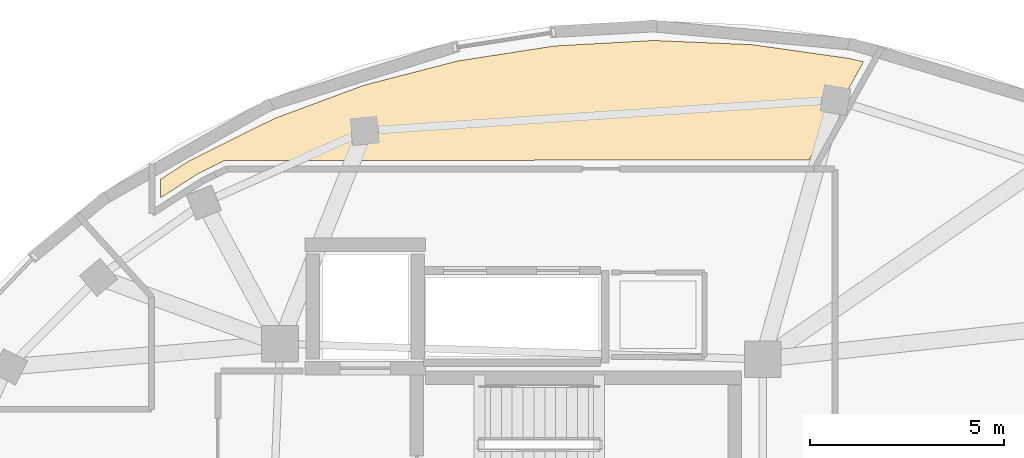
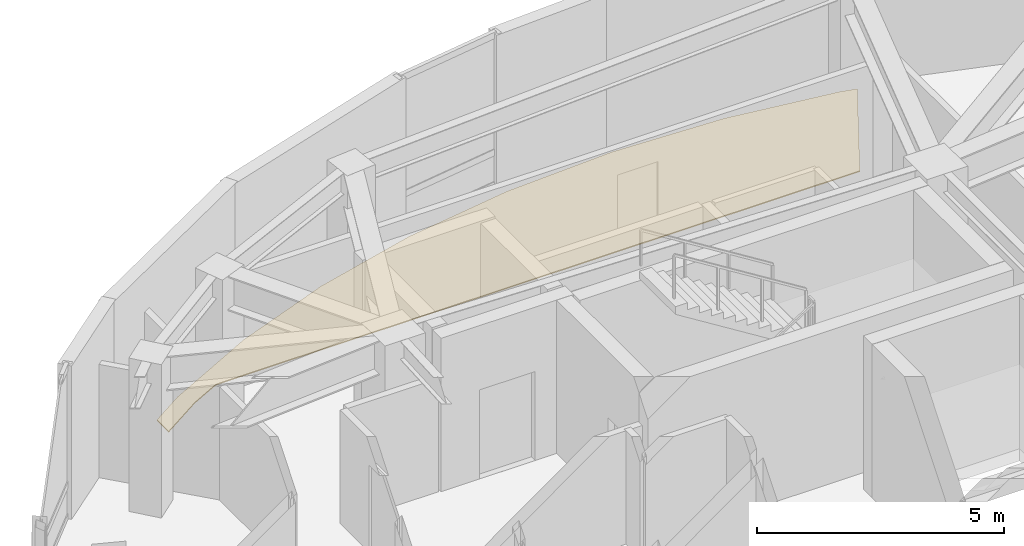
# One storey, part 8 of 8: 1 covering.
"""IFC4 building model written with IfcOpenShell, lengths in metres."""

from ifc_helpers import new_model, si_unit, direction, frame, origin, place, context, subcontext, project, spatial, polyline, outline, extrude, material, layer, layer_set, type_object, element, save


model = new_model("IFC4")

# Units and contexts
model_context = context("Model", 3, precision=1e-05, world=origin(), true_north=direction((0.0, 1.0)))
body_context = subcontext(model_context, "Body", "Model", "MODEL_VIEW")
ifc_project = project(units=[si_unit("LENGTHUNIT", "METRE"), si_unit("AREAUNIT", "SQUARE_METRE"), si_unit("VOLUMEUNIT", "CUBIC_METRE"), si_unit("PLANEANGLEUNIT", "RADIAN"), si_unit("MASSUNIT", "GRAM", prefix="KILO")], contexts=[model_context])

# Site, building, storey
site_placement = place(None, origin())
site = spatial("IfcSite", under=ifc_project, at=site_placement, CompositionType="ELEMENT")
building_placement = place(site_placement, origin())
building = spatial("IfcBuilding", under=site, at=building_placement, Name="Korentha Bioscience Tower", CompositionType="ELEMENT")
storey_placement = place(building_placement, frame((0.0, 0.0, 318.60009765625)))
storey = spatial("IfcBuildingStorey", under=building, at=storey_placement, Name="L73", CompositionType="ELEMENT", Elevation=318.60009765625)

# Covering
ifc_material = material(Name="Honed Travertine Limestone", Category="masonry")
ifc_layer = layer(ifc_material, 0.02490234375, Name="Honed Travertine Limestone")
ifc_layer_set = layer_set([ifc_layer], Name="Honed Travertine Limestone (FL-STN)")
covering_type = type_object("IfcCoveringType", Name="Honed Travertine Lobby Stone Flooring 25", PredefinedType="FLOORING", material=ifc_layer_set)
covering_placement = place(storey_placement, origin())
element("IfcCovering", 1, at=covering_placement, inside=storey, type_object=covering_type, Name="L73 Observation Deck Chair Store 08 Floor Finish", PredefinedType="FLOORING", context=body_context, shape_type="SweptSolid", body=[
    extrude(outline(polyline([(22.779541015625, 40.9775390625), (24.947021484375, 42.05517578125), (27.260498046875, 42.914794921875), (29.686279296875, 43.54296875), (32.18896484375, 43.930419921875), (34.7314453125, 44.07080078125), (37.2763671875, 43.96240234375), (39.785888671875, 43.606689453125), (40.1455078125, 43.5185546875), (38.740966796875, 40.98486328125), (23.7255859375, 40.979736328125), (23.63427734375, 40.9560546875), (22.97802734375, 40.62939453125), (22.02197265625, 40.01513671875), (22.02197265625, 40.490478515625), (22.779541015625, 40.9775390625)])), origin(), (0.0, 0.0, 1.0), 0.02490234375),
])

save(model, "model.ifc")
